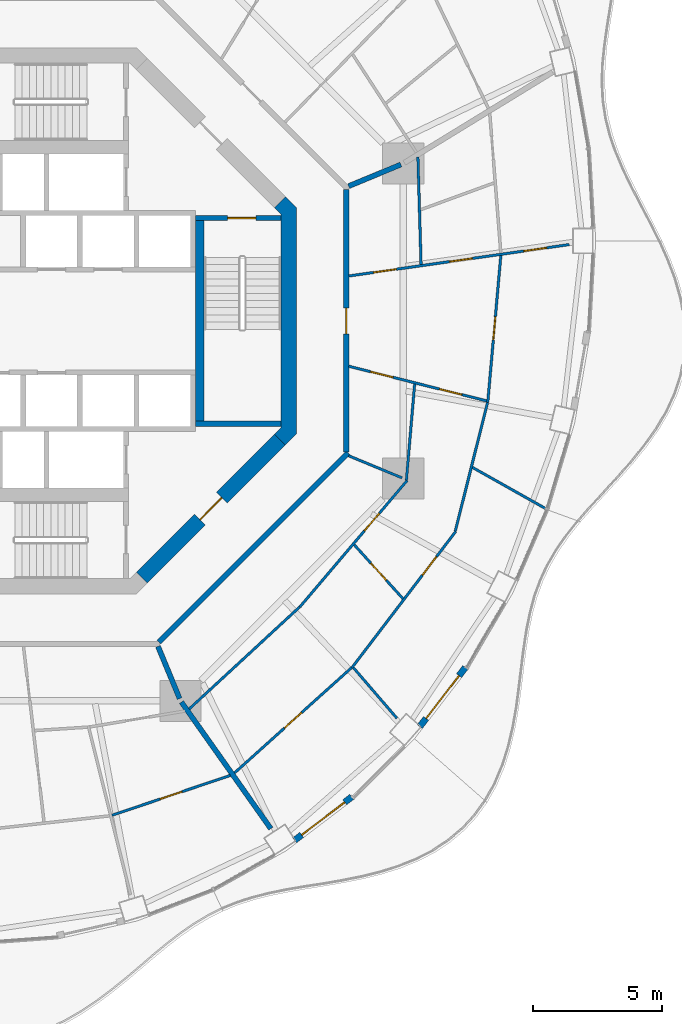
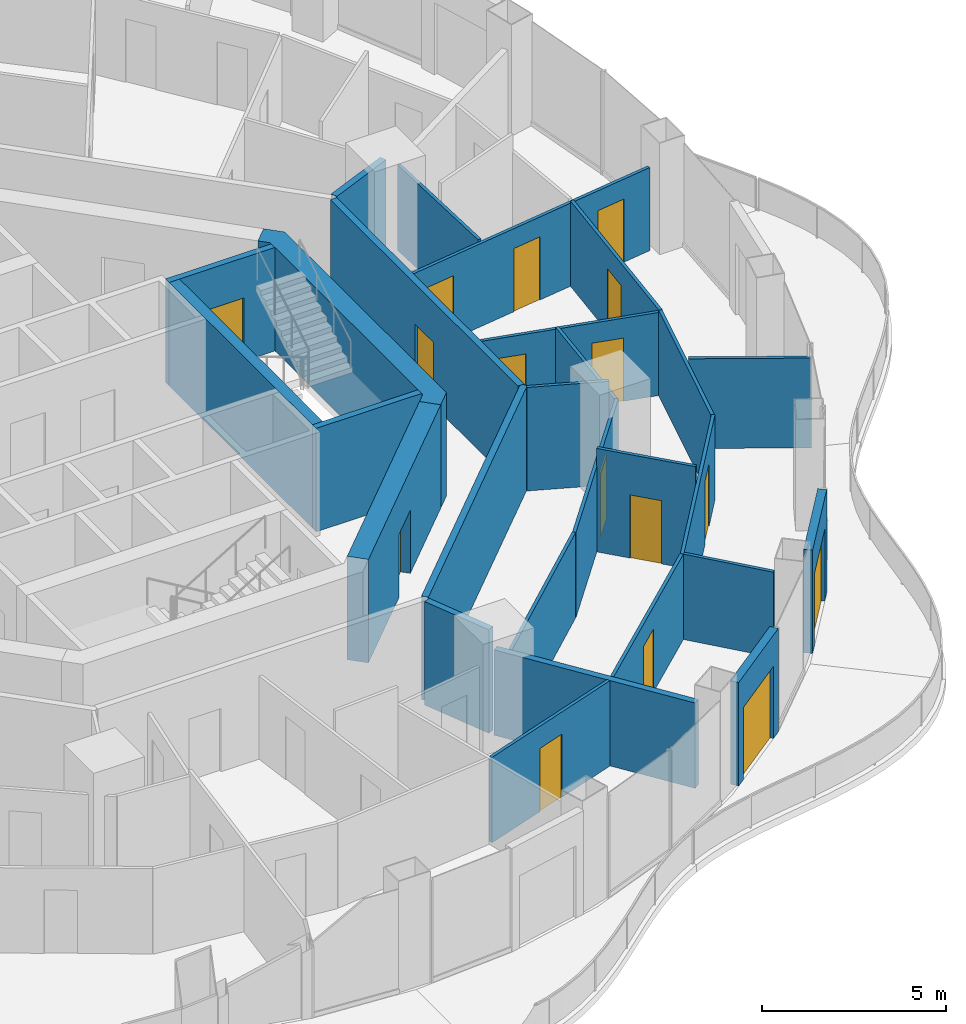
# One storey, part 12 of 18: 27 walls, 16 doors, 16 openings.
"""IFC4 building model written with IfcOpenShell, lengths in metres."""

from ifc_helpers import new_model, si_unit, direction, frame, frame_2d, origin, place, context, subcontext, project, spatial, polyline, rectangle, outline, extrude, material, layer, layer_set, type_object, element, fill, save


model = new_model("IFC4")

# Units and contexts
model_context = context("Model", 3, precision=1e-05, world=origin(), true_north=direction((0.0, 1.0)))
body_context = subcontext(model_context, "Body", "Model", "MODEL_VIEW")
ifc_project = project(units=[si_unit("LENGTHUNIT", "METRE"), si_unit("AREAUNIT", "SQUARE_METRE"), si_unit("VOLUMEUNIT", "CUBIC_METRE"), si_unit("PLANEANGLEUNIT", "RADIAN"), si_unit("MASSUNIT", "GRAM", prefix="KILO")], contexts=[model_context])

# Site, building, storey
site_placement = place(None, origin())
site = spatial("IfcSite", under=ifc_project, at=site_placement, CompositionType="ELEMENT")
building_placement = place(site_placement, origin())
building = spatial("IfcBuilding", under=site, at=building_placement, Name="Nagisa Residences", CompositionType="ELEMENT")
storey_placement = place(building_placement, frame((0.0, 0.0, 245.5)))
storey = spatial("IfcBuildingStorey", under=building, at=storey_placement, Name="L62", CompositionType="ELEMENT", Elevation=245.5)

# Walls
ifc_material_1 = material(Name="Gypsum board on steel studs", Category="steel")
ifc_layer_1 = layer(ifc_material_1, 0.199951171875)
ifc_layer_set_1 = layer_set([ifc_layer_1], Name="Apartment compartment wall EI60 200")
wall_type_1 = type_object("IfcWallType", Name="Apartment compartment wall EI60 200", PredefinedType="PARTITIONING", material=ifc_layer_set_1)
wall_1_placement = place(storey_placement, frame((12.6572265625, 5.24267578125, 0.0), z_axis=(0.0, 0.0, 1.0), x_axis=(0.92383017907, 0.382802560388, 0.0)))
element("IfcWall", 1, at=wall_1_placement, inside=storey, type_object=wall_type_1, Name="wall:L62:u00", PredefinedType="PARTITIONING", context=body_context, shape_type="SweptSolid", body=[
    extrude(rectangle(XDim=2.2001953125, YDim=0.199951171875, at=frame_2d((1.10009765625, 0.0))), origin(), (0.0, 0.0, 1.0), 3.43994140625),
])
wall_2_placement = place(storey_placement, frame((5.24267578125, -12.6572265625, 0.0), z_axis=(0.0, 0.0, 1.0), x_axis=(0.382691608661, -0.923876145736, 0.0)))
element("IfcWall", 2, at=wall_2_placement, inside=storey, type_object=wall_type_1, Name="wall:L62:u04", PredefinedType="PARTITIONING", context=body_context, shape_type="SweptSolid", body=[
    extrude(rectangle(XDim=2.19970703125, YDim=0.199951171875, at=frame_2d((1.099853515625, 0.0))), origin(), (0.0, 0.0, 1.0), 3.43994140625),
])
wall_3_placement = place(storey_placement, frame((6.15185546875, -14.822998046875, 0.0), z_axis=(0.0, 0.0, 1.0), x_axis=(0.576994695158, -0.816747893637, 0.0)))
element("IfcWall", 3, at=wall_3_placement, inside=storey, type_object=wall_type_1, Name="wall:L62:u05", PredefinedType="PARTITIONING", context=body_context, shape_type="SweptSolid", body=[
    extrude(rectangle(XDim=6.0302734375, YDim=0.199951171875, at=frame_2d((3.01513671875, 0.0))), origin(), (0.0, 0.0, 1.0), 2.8369140625),
])

# Wall, opening, door
ifc_material_2 = material(Name="Gypsum board on steel studs", Category="steel")
ifc_layer_2 = layer(ifc_material_2, 0.199951171875)
ifc_layer_set_2 = layer_set([ifc_layer_2], Name="Apartment entry wall EI60 200")
wall_type_2 = type_object("IfcWallType", Name="Apartment entry wall EI60 200", PredefinedType="PARTITIONING", material=ifc_layer_set_2)
wall_4_placement = place(storey_placement, frame((12.564697265625, -5.1044921875, 0.0), z_axis=(0.0, 0.0, 1.0), x_axis=(0.0, 1.0, 0.0)))
wall_4 = element("IfcWall", 4, at=wall_4_placement, inside=storey, type_object=wall_type_2, Name="wall:L62:u06", PredefinedType="PARTITIONING", context=body_context, shape_type="SweptSolid", body=[
    extrude(rectangle(XDim=10.208984375, YDim=0.199951171875, at=frame_2d((5.1044921875, 0.0))), origin(), (0.0, 0.0, 1.0), 3.43994140625),
])
opening_1_placement = place(wall_4_placement, frame((4.6044921875, 0.0, 0.0)))
opening_1 = element("IfcOpeningElement", 5, at=opening_1_placement, cuts=wall_4, Name="Opening L62-U01", PredefinedType="OPENING", context=body_context, shape_type="SweptSolid", body=[
    extrude(rectangle(XDim=1.0, YDim=2.10009765625, at=frame_2d((0.5, 1.050048828125))), frame((0.0, 0.10986328125, 0.0), z_axis=(0.0, -1.0, 0.0), x_axis=(1.0, 0.0, 0.0)), (0.0, 0.0, 1.0), 0.219970703125),
])
ifc_material_3 = material(Name="Timber fire door set", Category="wood")
door_type_1 = type_object("IfcDoorType", Name="Apartment entry door FD30S 1000x2100", OperationType="NOTDEFINED", PredefinedType="DOOR", material=ifc_material_3)
door_1_placement = place(opening_1_placement, frame((1.0, 0.0, 0.0), x_axis=(-1.0, 0.0, 0.0)))
door_1 = element("IfcDoor", 6, at=door_1_placement, inside=storey, type_object=door_type_1, Name="Entry door, Apartment 62A", OperationType="SINGLE_SWING_RIGHT", OverallHeight=2.10009765625, OverallWidth=1.0, PredefinedType="DOOR", context=body_context, shape_type="SweptSolid", body=[
    extrude(rectangle(XDim=1.0, YDim=2.10009765625, at=frame_2d((0.5, 1.050048828125))), frame((0.0, 0.02490234375, 0.0), z_axis=(0.0, -1.0, 0.0), x_axis=(1.0, 0.0, 0.0)), (0.0, 0.0, 1.0), 0.050048828125),
])
fill(opening_1, door_1)

# Wall
wall_5_placement = place(storey_placement, frame((5.275146484375, -12.494140625, 0.0), z_axis=(0.0, 0.0, 1.0), x_axis=(0.707106781187, 0.707106781187, 0.0)))
element("IfcWall", 7, at=wall_5_placement, inside=storey, type_object=wall_type_2, Name="wall:L62:u13", PredefinedType="PARTITIONING", context=body_context, shape_type="SweptSolid", body=[
    extrude(rectangle(XDim=10.4091796875, YDim=0.199951171875, at=frame_2d((5.20458984375, 0.0))), origin(), (0.0, 0.0, 1.0), 3.43994140625),
])

# Wall, openings, doors
ifc_material_4 = material(Name="Gypsum board on steel studs", Category="steel")
ifc_layer_3 = layer(ifc_material_4, 0.10009765625)
ifc_layer_set_3 = layer_set([ifc_layer_3], Name="Apartment partition 100")
wall_type_3 = type_object("IfcWallType", Name="Apartment partition 100", PredefinedType="PARTITIONING", material=ifc_layer_set_3)
wall_6_placement = place(storey_placement, frame((12.663818359375, 1.7490234375, 0.0), z_axis=(0.0, 0.0, 1.0), x_axis=(0.990001845476, 0.141054407783, 0.0)))
wall_6 = element("IfcWall", 8, at=wall_6_placement, inside=storey, type_object=wall_type_3, Name="wall:L62:u14", PredefinedType="PARTITIONING", context=body_context, shape_type="SweptSolid", body=[
    extrude(rectangle(XDim=8.662841796875, YDim=0.10009765625, at=frame_2d((4.33154296875, 0.0))), origin(), (0.0, 0.0, 1.0), 2.761962890625),
])
opening_2_placement = place(wall_6_placement, frame((0.970458984375, 0.0, 0.0)))
opening_2 = element("IfcOpeningElement", 9, at=opening_2_placement, cuts=wall_6, Name="Opening L62-U03", PredefinedType="OPENING", context=body_context, shape_type="SweptSolid", body=[
    extrude(rectangle(XDim=0.89990234375, YDim=2.10009765625, at=frame_2d((0.449951171875, 1.050048828125))), frame((0.0, 0.06005859375, 0.0), z_axis=(0.0, -1.0, 0.0), x_axis=(1.0, 0.0, 0.0)), (0.0, 0.0, 1.0), 0.1201171875),
])
opening_3_placement = place(wall_6_placement, frame((3.95947265625, 0.0, 0.0)))
opening_3 = element("IfcOpeningElement", 10, at=opening_3_placement, cuts=wall_6, Name="Opening L62-U05", PredefinedType="OPENING", context=body_context, shape_type="SweptSolid", body=[
    extrude(rectangle(XDim=0.89990234375, YDim=2.10009765625, at=frame_2d((0.449951171875, 1.050048828125))), frame((0.0, 0.06005859375, 0.0), z_axis=(0.0, -1.0, 0.0), x_axis=(1.0, 0.0, 0.0)), (0.0, 0.0, 1.0), 0.1201171875),
])
opening_4_placement = place(wall_6_placement, frame((6.870361328125, 0.0, 0.0)))
opening_4 = element("IfcOpeningElement", 11, at=opening_4_placement, cuts=wall_6, Name="Opening L62-U08", PredefinedType="OPENING", context=body_context, shape_type="SweptSolid", body=[
    extrude(rectangle(XDim=0.89990234375, YDim=2.10009765625, at=frame_2d((0.449951171875, 1.050048828125))), frame((0.0, 0.06005859375, 0.0), z_axis=(0.0, -1.0, 0.0), x_axis=(1.0, 0.0, 0.0)), (0.0, 0.0, 1.0), 0.1201171875),
])
ifc_material_5 = material(Name="Timber door set", Category="wood")
door_type_2 = type_object("IfcDoorType", Name="Apartment door 900x2100", OperationType="NOTDEFINED", PredefinedType="DOOR", material=ifc_material_5)
door_2_placement = place(opening_2_placement, origin())
door_2 = element("IfcDoor", 12, at=door_2_placement, inside=storey, type_object=door_type_2, Name="Door to store, Apartment 62A", OperationType="SINGLE_SWING_LEFT", OverallHeight=2.10009765625, OverallWidth=0.89990234375, PredefinedType="DOOR", context=body_context, shape_type="SweptSolid", body=[
    extrude(rectangle(XDim=0.89990234375, YDim=2.10009765625, at=frame_2d((0.449951171875, 1.050048828125))), frame((0.0, 0.02490234375, 0.0), z_axis=(0.0, -1.0, 0.0), x_axis=(1.0, 0.0, 0.0)), (0.0, 0.0, 1.0), 0.050048828125),
])
fill(opening_2, door_2)
door_3_placement = place(opening_3_placement, origin())
door_3 = element("IfcDoor", 13, at=door_3_placement, inside=storey, type_object=door_type_2, Name="Door to family bathroom, Apartment 62A", OperationType="SINGLE_SWING_LEFT", OverallHeight=2.10009765625, OverallWidth=0.89990234375, PredefinedType="DOOR", context=body_context, shape_type="SweptSolid", body=[
    extrude(rectangle(XDim=0.89990234375, YDim=2.10009765625, at=frame_2d((0.449951171875, 1.050048828125))), frame((0.0, 0.02490234375, 0.0), z_axis=(0.0, -1.0, 0.0), x_axis=(1.0, 0.0, 0.0)), (0.0, 0.0, 1.0), 0.050048828125),
])
fill(opening_3, door_3)
door_4_placement = place(opening_4_placement, origin())
door_4 = element("IfcDoor", 14, at=door_4_placement, inside=storey, type_object=door_type_2, Name="Door to bedroom, Apartment 62A", OperationType="SINGLE_SWING_RIGHT", OverallHeight=2.10009765625, OverallWidth=0.89990234375, PredefinedType="DOOR", context=body_context, shape_type="SweptSolid", body=[
    extrude(rectangle(XDim=0.89990234375, YDim=2.10009765625, at=frame_2d((0.449951171875, 1.050048828125))), frame((0.0, 0.02490234375, 0.0), z_axis=(0.0, -1.0, 0.0), x_axis=(1.0, 0.0, 0.0)), (0.0, 0.0, 1.0), 0.050048828125),
])
fill(opening_4, door_4)

# Wall
wall_7_placement = place(storey_placement, frame((15.474853515625, 2.19970703125, 0.0), z_axis=(0.0, 0.0, 1.0), x_axis=(-0.029254623973, 0.999571991893, 0.0)))
element("IfcWall", 15, at=wall_7_placement, inside=storey, type_object=wall_type_3, Name="wall:L62:u15", PredefinedType="PARTITIONING", context=body_context, shape_type="SweptSolid", body=[
    extrude(rectangle(XDim=4.172607421875, YDim=0.10009765625, at=frame_2d((2.08642578125, 0.0))), origin(), (0.0, 0.0, 1.0), 2.8369140625),
])

# Wall, opening, door
wall_8_placement = place(storey_placement, frame((18.57763671875, 2.54248046875, 0.0), z_axis=(0.0, 0.0, 1.0), x_axis=(-0.088651453697, -0.996062708748, 0.0)))
wall_8 = element("IfcWall", 16, at=wall_8_placement, inside=storey, type_object=wall_type_3, Name="wall:L62:u17", PredefinedType="PARTITIONING", context=body_context, shape_type="SweptSolid", body=[
    extrude(rectangle(XDim=5.736572265625, YDim=0.10009765625, at=frame_2d((2.8681640625, 0.0))), origin(), (0.0, 0.0, 1.0), 2.8369140625),
])
opening_5_placement = place(wall_8_placement, frame((2.39306640625, 0.0, 0.0)))
opening_5 = element("IfcOpeningElement", 17, at=opening_5_placement, cuts=wall_8, Name="Opening L62-U07", PredefinedType="OPENING", context=body_context, shape_type="SweptSolid", body=[
    extrude(rectangle(XDim=0.89990234375, YDim=2.10009765625, at=frame_2d((0.449951171875, 1.050048828125))), frame((0.0, 0.06005859375, 0.0), z_axis=(0.0, -1.0, 0.0), x_axis=(1.0, 0.0, 0.0)), (0.0, 0.0, 1.0), 0.1201171875),
])
door_5_placement = place(opening_5_placement, origin())
door_5 = element("IfcDoor", 18, at=door_5_placement, inside=storey, type_object=door_type_2, Name="Door to family room, Apartment 62A", OperationType="SINGLE_SWING_LEFT", OverallHeight=2.10009765625, OverallWidth=0.89990234375, PredefinedType="DOOR", context=body_context, shape_type="SweptSolid", body=[
    extrude(rectangle(XDim=0.89990234375, YDim=2.10009765625, at=frame_2d((0.449951171875, 1.050048828125))), frame((0.0, 0.02490234375, 0.0), z_axis=(0.0, -1.0, 0.0), x_axis=(1.0, 0.0, 0.0)), (0.0, 0.0, 1.0), 0.050048828125),
])
fill(opening_5, door_5)

wall_9_placement = place(storey_placement, frame((3.453125, -19.228759765625, 0.0), z_axis=(0.0, 0.0, 1.0), x_axis=(0.947565610716, 0.31956128268, 0.0)))
wall_9 = element("IfcWall", 19, at=wall_9_placement, inside=storey, type_object=wall_type_3, Name="wall:L62:u78", PredefinedType="PARTITIONING", context=body_context, shape_type="SweptSolid", body=[
    extrude(rectangle(XDim=4.852783203125, YDim=0.10009765625, at=frame_2d((2.42626953125, 0.0))), origin(), (0.0, 0.0, 1.0), 2.8369140625),
])
opening_6_placement = place(wall_9_placement, frame((1.976318359375, 0.0, 0.0)))
opening_6 = element("IfcOpeningElement", 20, at=opening_6_placement, cuts=wall_9, Name="Opening L62-U47", PredefinedType="OPENING", context=body_context, shape_type="SweptSolid", body=[
    extrude(rectangle(XDim=0.89990234375, YDim=2.10009765625, at=frame_2d((0.449951171875, 1.050048828125))), frame((0.0, 0.06005859375, 0.0), z_axis=(0.0, -1.0, 0.0), x_axis=(1.0, 0.0, 0.0)), (0.0, 0.0, 1.0), 0.1201171875),
])
door_6_placement = place(opening_6_placement, frame((0.89990234375, 0.0, 0.0), x_axis=(-1.0, 0.0, 0.0)))
door_6 = element("IfcDoor", 21, at=door_6_placement, inside=storey, type_object=door_type_2, Name="Door to bedroom, Apartment 62C", OperationType="SINGLE_SWING_RIGHT", OverallHeight=2.10009765625, OverallWidth=0.89990234375, PredefinedType="DOOR", context=body_context, shape_type="SweptSolid", body=[
    extrude(rectangle(XDim=0.89990234375, YDim=2.10009765625, at=frame_2d((0.449951171875, 1.050048828125))), frame((0.0, 0.02490234375, 0.0), z_axis=(0.0, -1.0, 0.0), x_axis=(1.0, 0.0, 0.0)), (0.0, 0.0, 1.0), 0.050048828125),
])
fill(opening_6, door_6)

# Wall
wall_10_placement = place(storey_placement, frame((6.460693359375, -15.08837890625, 0.0), z_axis=(0.0, 0.0, 1.0), x_axis=(0.73461579427, 0.678483334217, 0.0)))
element("IfcWall", 22, at=wall_10_placement, inside=storey, type_object=wall_type_3, Name="wall:L62:u79", PredefinedType="PARTITIONING", context=body_context, shape_type="SweptSolid", body=[
    extrude(rectangle(XDim=5.8369140625, YDim=0.10009765625, at=frame_2d((2.91845703125, 0.0))), origin(), (0.0, 0.0, 1.0), 2.8369140625),
])

# Wall, opening, door
wall_11_placement = place(storey_placement, frame((8.220458984375, -17.5791015625, 0.0), z_axis=(0.0, 0.0, 1.0), x_axis=(0.743696370895, 0.668517544958, 0.0)))
wall_11 = element("IfcWall", 23, at=wall_11_placement, inside=storey, type_object=wall_type_3, Name="wall:L62:u80", PredefinedType="PARTITIONING", context=body_context, shape_type="SweptSolid", body=[
    extrude(rectangle(XDim=6.124755859375, YDim=0.10009765625, at=frame_2d((3.0625, 0.0))), origin(), (0.0, 0.0, 1.0), 2.8369140625),
])
opening_7_placement = place(wall_11_placement, frame((2.6123046875, 0.0, 0.0)))
opening_7 = element("IfcOpeningElement", 24, at=opening_7_placement, cuts=wall_11, Name="Opening L62-U12", PredefinedType="OPENING", context=body_context, shape_type="SweptSolid", body=[
    extrude(rectangle(XDim=0.89990234375, YDim=2.10009765625, at=frame_2d((0.449951171875, 1.050048828125))), frame((0.0, 0.06005859375, 0.0), z_axis=(0.0, -1.0, 0.0), x_axis=(1.0, 0.0, 0.0)), (0.0, 0.0, 1.0), 0.1201171875),
])
door_7_placement = place(opening_7_placement, frame((0.89990234375, 0.0, 0.0), x_axis=(-1.0, 0.0, 0.0)))
door_7 = element("IfcDoor", 25, at=door_7_placement, inside=storey, type_object=door_type_2, Name="Door to study, Apartment 62A", OperationType="SINGLE_SWING_LEFT", OverallHeight=2.10009765625, OverallWidth=0.89990234375, PredefinedType="DOOR", context=body_context, shape_type="SweptSolid", body=[
    extrude(rectangle(XDim=0.89990234375, YDim=2.10009765625, at=frame_2d((0.449951171875, 1.050048828125))), frame((0.0, 0.02490234375, 0.0), z_axis=(0.0, -1.0, 0.0), x_axis=(1.0, 0.0, 0.0)), (0.0, 0.0, 1.0), 0.050048828125),
])
fill(opening_7, door_7)

wall_12_placement = place(storey_placement, frame((10.7529296875, -11.13232421875, 0.0), z_axis=(0.0, 0.0, 1.0), x_axis=(0.64700741656, 0.762483706657, 0.0)))
wall_12 = element("IfcWall", 26, at=wall_12_placement, inside=storey, type_object=wall_type_3, Name="wall:L62:u81", PredefinedType="PARTITIONING", context=body_context, shape_type="SweptSolid", body=[
    extrude(rectangle(XDim=6.458984375, YDim=0.10009765625, at=frame_2d((3.2294921875, 0.0))), origin(), (0.0, 0.0, 1.0), 2.8369140625),
])
opening_8_placement = place(wall_12_placement, frame((3.8955078125, 0.0, 0.0)))
opening_8 = element("IfcOpeningElement", 27, at=opening_8_placement, cuts=wall_12, Name="Opening L62-U09", PredefinedType="OPENING", context=body_context, shape_type="SweptSolid", body=[
    extrude(rectangle(XDim=0.89990234375, YDim=2.10009765625, at=frame_2d((0.449951171875, 1.050048828125))), frame((0.0, 0.06005859375, 0.0), z_axis=(0.0, -1.0, 0.0), x_axis=(1.0, 0.0, 0.0)), (0.0, 0.0, 1.0), 0.1201171875),
])
door_8_placement = place(opening_8_placement, origin())
door_8 = element("IfcDoor", 28, at=door_8_placement, inside=storey, type_object=door_type_2, Name="Door to laundry, Apartment 62A", OperationType="SINGLE_SWING_LEFT", OverallHeight=2.10009765625, OverallWidth=0.89990234375, PredefinedType="DOOR", context=body_context, shape_type="SweptSolid", body=[
    extrude(rectangle(XDim=0.89990234375, YDim=2.10009765625, at=frame_2d((0.449951171875, 1.050048828125))), frame((0.0, 0.02490234375, 0.0), z_axis=(0.0, -1.0, 0.0), x_axis=(1.0, 0.0, 0.0)), (0.0, 0.0, 1.0), 0.050048828125),
])
fill(opening_8, door_8)

# Wall
wall_13_placement = place(storey_placement, frame((12.84521484375, -13.489013671875, 0.0), z_axis=(0.0, 0.0, 1.0), x_axis=(0.652092276587, -0.758139606416, 0.0)))
element("IfcWall", 29, at=wall_13_placement, inside=storey, type_object=wall_type_3, Name="wall:L62:u82", PredefinedType="PARTITIONING", context=body_context, shape_type="SweptSolid", body=[
    extrude(rectangle(XDim=2.594482421875, YDim=0.10009765625, at=frame_2d((1.29736328125, 0.0))), origin(), (0.0, 0.0, 1.0), 2.8369140625),
])

# Wall, opening, door
wall_14_placement = place(storey_placement, frame((12.7822265625, -13.490966796875, 0.0), z_axis=(0.0, 0.0, 1.0), x_axis=(0.606125925512, 0.795368695903, 0.0)))
wall_14 = element("IfcWall", 30, at=wall_14_placement, inside=storey, type_object=wall_type_3, Name="wall:L62:u83", PredefinedType="PARTITIONING", context=body_context, shape_type="SweptSolid", body=[
    extrude(rectangle(XDim=6.669677734375, YDim=0.10009765625, at=frame_2d((3.3349609375, 0.0))), origin(), (0.0, 0.0, 1.0), 2.8369140625),
])
opening_9_placement = place(wall_14_placement, frame((4.52734375, 0.0, 0.0)))
opening_9 = element("IfcOpeningElement", 31, at=opening_9_placement, cuts=wall_14, Name="Opening L62-U06", PredefinedType="OPENING", context=body_context, shape_type="SweptSolid", body=[
    extrude(rectangle(XDim=0.89990234375, YDim=2.10009765625, at=frame_2d((0.449951171875, 1.050048828125))), frame((0.0, 0.06005859375, 0.0), z_axis=(0.0, -1.0, 0.0), x_axis=(1.0, 0.0, 0.0)), (0.0, 0.0, 1.0), 0.1201171875),
])
door_9_placement = place(opening_9_placement, frame((0.89990234375, 0.0, 0.0), x_axis=(-1.0, 0.0, 0.0)))
door_9 = element("IfcDoor", 32, at=door_9_placement, inside=storey, type_object=door_type_2, Name="Door to bedroom, Apartment 62A", OperationType="SINGLE_SWING_LEFT", OverallHeight=2.10009765625, OverallWidth=0.89990234375, PredefinedType="DOOR", context=body_context, shape_type="SweptSolid", body=[
    extrude(rectangle(XDim=0.89990234375, YDim=2.10009765625, at=frame_2d((0.449951171875, 1.050048828125))), frame((0.0, 0.02490234375, 0.0), z_axis=(0.0, -1.0, 0.0), x_axis=(1.0, 0.0, 0.0)), (0.0, 0.0, 1.0), 0.050048828125),
])
fill(opening_9, door_9)

wall_15_placement = place(storey_placement, frame((12.8759765625, -8.70703125, 0.0), z_axis=(0.0, 0.0, 1.0), x_axis=(0.670768418052, -0.741666858733, 0.0)))
wall_15 = element("IfcWall", 33, at=wall_15_placement, inside=storey, type_object=wall_type_3, Name="wall:L62:u84", PredefinedType="PARTITIONING", context=body_context, shape_type="SweptSolid", body=[
    extrude(rectangle(XDim=2.82373046875, YDim=0.10009765625, at=frame_2d((1.411865234375, 0.0))), origin(), (0.0, 0.0, 1.0), 3.43994140625),
])
opening_10_placement = place(wall_15_placement, frame((0.9619140625, 0.0, 0.0)))
opening_10 = element("IfcOpeningElement", 34, at=opening_10_placement, cuts=wall_15, Name="Opening L62-U10", PredefinedType="OPENING", context=body_context, shape_type="SweptSolid", body=[
    extrude(rectangle(XDim=0.89990234375, YDim=2.10009765625, at=frame_2d((0.449951171875, 1.050048828125))), frame((0.0, 0.06005859375, 0.0), z_axis=(0.0, -1.0, 0.0), x_axis=(1.0, 0.0, 0.0)), (0.0, 0.0, 1.0), 0.1201171875),
])
door_10_placement = place(opening_10_placement, frame((0.89990234375, 0.0, 0.0), x_axis=(-1.0, 0.0, 0.0)))
door_10 = element("IfcDoor", 35, at=door_10_placement, inside=storey, type_object=door_type_2, Name="Door to kitchen, Apartment 62A", OperationType="SINGLE_SWING_LEFT", OverallHeight=2.10009765625, OverallWidth=0.89990234375, PredefinedType="DOOR", context=body_context, shape_type="SweptSolid", body=[
    extrude(rectangle(XDim=0.89990234375, YDim=2.10009765625, at=frame_2d((0.449951171875, 1.050048828125))), frame((0.0, 0.02490234375, 0.0), z_axis=(0.0, -1.0, 0.0), x_axis=(1.0, 0.0, 0.0)), (0.0, 0.0, 1.0), 0.050048828125),
])
fill(opening_10, door_10)

# Walls
wall_16_placement = place(storey_placement, frame((12.6572265625, -5.24267578125, 0.0), z_axis=(0.0, 0.0, 1.0), x_axis=(0.923864733477, -0.382719158442, 0.0)))
element("IfcWall", 36, at=wall_16_placement, inside=storey, type_object=wall_type_3, Name="wall:L62:u85", PredefinedType="PARTITIONING", context=body_context, shape_type="SweptSolid", body=[
    extrude(rectangle(XDim=2.25, YDim=0.10009765625, at=frame_2d((1.125, 0.0))), origin(), (0.0, 0.0, 1.0), 3.43994140625),
])
wall_17_placement = place(storey_placement, frame((14.90380859375, -6.19580078125, 0.0), z_axis=(0.0, 0.0, 1.0), x_axis=(0.085843822439, 0.996308605879, 0.0)))
element("IfcWall", 37, at=wall_17_placement, inside=storey, type_object=wall_type_3, Name="wall:L62:u86", PredefinedType="PARTITIONING", context=body_context, shape_type="SweptSolid", body=[
    extrude(rectangle(XDim=3.754150390625, YDim=0.10009765625, at=frame_2d((1.876953125, 0.0))), origin(), (0.0, 0.0, 1.0), 2.8369140625),
])
wall_18_placement = place(storey_placement, frame((16.806884765625, -8.17724609375, 0.0), z_axis=(0.0, 0.0, 1.0), x_axis=(0.243002985225, 0.970025540474, 0.0)))
element("IfcWall", 38, at=wall_18_placement, inside=storey, type_object=wall_type_3, Name="wall:L62:u87", PredefinedType="PARTITIONING", context=body_context, shape_type="SweptSolid", body=[
    extrude(rectangle(XDim=5.162109375, YDim=0.10009765625, at=frame_2d((2.5810546875, 0.0))), origin(), (0.0, 0.0, 1.0), 2.8369140625),
])
wall_19_placement = place(storey_placement, frame((17.4775390625, -5.6982421875, 0.0), z_axis=(0.0, 0.0, 1.0), x_axis=(0.871478399743, -0.490433888288, 0.0)))
element("IfcWall", 39, at=wall_19_placement, inside=storey, type_object=wall_type_3, Name="wall:L62:u88", PredefinedType="PARTITIONING", context=body_context, shape_type="SweptSolid", body=[
    extrude(rectangle(XDim=3.356689453125, YDim=0.10009765625, at=frame_2d((1.67822265625, 0.0))), origin(), (0.0, 0.0, 1.0), 2.98291015625),
])

# Wall, openings, doors
wall_20_placement = place(storey_placement, frame((12.66162109375, -1.75927734375, 0.0), z_axis=(0.0, 0.0, 1.0), x_axis=(0.969746519828, -0.24411408661, 0.0)))
wall_20 = element("IfcWall", 40, at=wall_20_placement, inside=storey, type_object=wall_type_3, Name="wall:L62:u89", PredefinedType="PARTITIONING", context=body_context, shape_type="SweptSolid", body=[
    extrude(rectangle(XDim=5.530517578125, YDim=0.10009765625, at=frame_2d((2.76513671875, 0.0))), origin(), (0.0, 0.0, 1.0), 2.761962890625),
])
opening_11_placement = place(wall_20_placement, frame((0.874267578125, 0.0, 0.0)))
opening_11 = element("IfcOpeningElement", 41, at=opening_11_placement, cuts=wall_20, Name="Opening L62-U02", PredefinedType="OPENING", context=body_context, shape_type="SweptSolid", body=[
    extrude(rectangle(XDim=0.89990234375, YDim=2.10009765625, at=frame_2d((0.449951171875, 1.050048828125))), frame((0.0, 0.06005859375, 0.0), z_axis=(0.0, -1.0, 0.0), x_axis=(1.0, 0.0, 0.0)), (0.0, 0.0, 1.0), 0.1201171875),
])
opening_12_placement = place(wall_20_placement, frame((3.6396484375, 0.0, 0.0)))
opening_12 = element("IfcOpeningElement", 42, at=opening_12_placement, cuts=wall_20, Name="Opening L62-U04", PredefinedType="OPENING", context=body_context, shape_type="SweptSolid", body=[
    extrude(rectangle(XDim=0.89990234375, YDim=2.10009765625, at=frame_2d((0.449951171875, 1.050048828125))), frame((0.0, 0.06005859375, 0.0), z_axis=(0.0, -1.0, 0.0), x_axis=(1.0, 0.0, 0.0)), (0.0, 0.0, 1.0), 0.1201171875),
])
door_11_placement = place(opening_11_placement, frame((0.89990234375, 0.0, 0.0), x_axis=(-1.0, 0.0, 0.0)))
door_11 = element("IfcDoor", 43, at=door_11_placement, inside=storey, type_object=door_type_2, Name="Door to store, Apartment 62A", OperationType="SINGLE_SWING_LEFT", OverallHeight=2.10009765625, OverallWidth=0.89990234375, PredefinedType="DOOR", context=body_context, shape_type="SweptSolid", body=[
    extrude(rectangle(XDim=0.89990234375, YDim=2.10009765625, at=frame_2d((0.449951171875, 1.050048828125))), frame((0.0, 0.02490234375, 0.0), z_axis=(0.0, -1.0, 0.0), x_axis=(1.0, 0.0, 0.0)), (0.0, 0.0, 1.0), 0.050048828125),
])
fill(opening_11, door_11)
door_12_placement = place(opening_12_placement, frame((0.89990234375, 0.0, 0.0), x_axis=(-1.0, 0.0, 0.0)))
door_12 = element("IfcDoor", 44, at=door_12_placement, inside=storey, type_object=door_type_2, Name="Door to study, Apartment 62A", OperationType="SINGLE_SWING_LEFT", OverallHeight=2.10009765625, OverallWidth=0.89990234375, PredefinedType="DOOR", context=body_context, shape_type="SweptSolid", body=[
    extrude(rectangle(XDim=0.89990234375, YDim=2.10009765625, at=frame_2d((0.449951171875, 1.050048828125))), frame((0.0, 0.02490234375, 0.0), z_axis=(0.0, -1.0, 0.0), x_axis=(1.0, 0.0, 0.0)), (0.0, 0.0, 1.0), 0.050048828125),
])
fill(opening_12, door_12)

# Wall, opening, door
ifc_material_6 = material(Name="Precast concrete C40/50", Category="concrete")
ifc_layer_4 = layer(ifc_material_6, 0.25)
ifc_layer_set_4 = layer_set([ifc_layer_4], Name="BALCONY DOOR WALL 250")
wall_type_4 = type_object("IfcWallType", Name="BALCONY DOOR WALL 250", PredefinedType="SOLIDWALL", material=ifc_layer_set_4)
wall_21_placement = place(storey_placement, frame((12.77734375, -18.5126953125, 0.0), z_axis=(0.0, 0.0, 1.0), x_axis=(-0.796022158395, -0.605267480825, 0.0)))
wall_21 = element("IfcWall", 45, at=wall_21_placement, inside=storey, type_object=wall_type_4, Name="wall:L62:bay40", PredefinedType="SOLIDWALL", context=body_context, shape_type="SweptSolid", body=[
    extrude(rectangle(XDim=2.788818359375, YDim=0.25, at=frame_2d((1.39453125, 0.0))), origin(), (0.0, 0.0, 1.0), 3.43994140625),
])
opening_13_placement = place(wall_21_placement, frame((0.34423828125, 0.0, 0.0)))
opening_13 = element("IfcOpeningElement", 46, at=opening_13_placement, cuts=wall_21, Name="Opening BD-L62-14", PredefinedType="OPENING", context=body_context, shape_type="SweptSolid", body=[
    extrude(rectangle(XDim=2.10009765625, YDim=2.39990234375, at=frame_2d((1.050048828125, 1.199951171875))), frame((0.0, 0.135009765625, 0.0), z_axis=(0.0, -1.0, 0.0), x_axis=(1.0, 0.0, 0.0)), (0.0, 0.0, 1.0), 0.27001953125),
])
ifc_material_7 = material(Name="Aluminium and clear glass", Category="aluminium")
door_type_3 = type_object("IfcDoorType", Name="BALCONY SLIDING DOOR 2100x2400", OperationType="SLIDING_TO_LEFT", PredefinedType="DOOR", material=ifc_material_7)
door_13_placement = place(opening_13_placement, origin())
door_13 = element("IfcDoor", 47, at=door_13_placement, inside=storey, type_object=door_type_3, Name="door:L62:bay40", OperationType="SLIDING_TO_LEFT", OverallHeight=2.39990234375, OverallWidth=2.10009765625, PredefinedType="DOOR", context=body_context, shape_type="SweptSolid", body=[
    extrude(rectangle(XDim=2.10009765625, YDim=2.39990234375, at=frame_2d((1.050048828125, 1.199951171875))), frame((0.0, 0.02490234375, 0.0), z_axis=(0.0, -1.0, 0.0), x_axis=(1.0, 0.0, 0.0)), (0.0, 0.0, 1.0), 0.050048828125),
])
fill(opening_13, door_13)

wall_22_placement = place(storey_placement, frame((17.197021484375, -13.47998046875, 0.0), z_axis=(0.0, 0.0, 1.0), x_axis=(-0.610438565676, -0.792063607001, 0.0)))
wall_22 = element("IfcWall", 48, at=wall_22_placement, inside=storey, type_object=wall_type_4, Name="wall:L62:bay42", PredefinedType="SOLIDWALL", context=body_context, shape_type="SweptSolid", body=[
    extrude(rectangle(XDim=2.90087890625, YDim=0.25, at=frame_2d((1.450439453125, 0.0))), origin(), (0.0, 0.0, 1.0), 3.43994140625),
])
opening_14_placement = place(wall_22_placement, frame((0.400390625, 0.0, 0.0)))
opening_14 = element("IfcOpeningElement", 49, at=opening_14_placement, cuts=wall_22, Name="Opening BD-L62-15", PredefinedType="OPENING", context=body_context, shape_type="SweptSolid", body=[
    extrude(rectangle(XDim=2.10009765625, YDim=2.39990234375, at=frame_2d((1.050048828125, 1.199951171875))), frame((0.0, 0.135009765625, 0.0), z_axis=(0.0, -1.0, 0.0), x_axis=(1.0, 0.0, 0.0)), (0.0, 0.0, 1.0), 0.27001953125),
])
door_14_placement = place(opening_14_placement, origin())
door_14 = element("IfcDoor", 50, at=door_14_placement, inside=storey, type_object=door_type_3, Name="door:L62:bay42", OperationType="SLIDING_TO_LEFT", OverallHeight=2.39990234375, OverallWidth=2.10009765625, PredefinedType="DOOR", context=body_context, shape_type="SweptSolid", body=[
    extrude(rectangle(XDim=2.10009765625, YDim=2.39990234375, at=frame_2d((1.050048828125, 1.199951171875))), frame((0.0, 0.02490234375, 0.0), z_axis=(0.0, -1.0, 0.0), x_axis=(1.0, 0.0, 0.0)), (0.0, 0.0, 1.0), 0.050048828125),
])
fill(opening_14, door_14)

ifc_material_8 = material(Name="Concrete C60", Category="concrete")
ifc_layer_5 = layer(ifc_material_8, 0.60009765625)
ifc_layer_set_5 = layer_set([ifc_layer_5], Name="Core shear wall 600")
wall_type_5 = type_object("IfcWallType", Name="Core shear wall 600", PredefinedType="SHEAR", material=ifc_layer_set_5)
wall_23_placement = place(storey_placement, frame((4.613037109375, -9.98828125, 0.0), z_axis=(0.0, 0.0, 1.0), x_axis=(0.707106781187, 0.707106781187, 0.0)))
wall_23 = element("IfcWall", 51, at=wall_23_placement, inside=storey, type_object=wall_type_5, Name="wall:L62:core:flat7", PredefinedType="SHEAR", context=body_context, shape_type="SweptSolid", body=[
    extrude(rectangle(XDim=7.601806640625, YDim=0.60009765625, at=frame_2d((3.80078125, 0.0))), origin(), (0.0, 0.0, 1.0), 3.43994140625),
])
opening_15_placement = place(wall_23_placement, frame((3.200927734375, 0.0, 0.0)))
opening_15 = element("IfcOpeningElement", 52, at=opening_15_placement, cuts=wall_23, Name="Opening L62-C20", PredefinedType="OPENING", context=body_context, shape_type="SweptSolid", body=[
    extrude(rectangle(XDim=1.199951171875, YDim=2.10009765625, at=frame_2d((0.60009765625, 1.050048828125))), frame((0.0, 0.31005859375, 0.0), z_axis=(0.0, -1.0, 0.0), x_axis=(1.0, 0.0, 0.0)), (0.0, 0.0, 1.0), 0.6201171875),
])
ifc_material_9 = material(Name="Steel fire door", Category="steel")
door_type_4 = type_object("IfcDoorType", Name="Fire door EI60 1200x2100 single swing", OperationType="NOTDEFINED", PredefinedType="DOOR", material=ifc_material_9)
door_15_placement = place(opening_15_placement, origin())
door_15 = element("IfcDoor", 53, at=door_15_placement, inside=storey, type_object=door_type_4, Name="Firefighting lobby 2 door L62", OperationType="SINGLE_SWING_RIGHT", OverallHeight=2.10009765625, OverallWidth=1.199951171875, PredefinedType="DOOR", context=body_context, shape_type="SweptSolid", body=[
    extrude(rectangle(XDim=1.199951171875, YDim=2.10009765625, at=frame_2d((0.60009765625, 1.050048828125))), frame((0.0, 0.02490234375, 0.0), z_axis=(0.0, -1.0, 0.0), x_axis=(1.0, 0.0, 0.0)), (0.0, 0.0, 1.0), 0.050048828125),
])
fill(opening_15, door_15)

# Wall
wall_24_placement = place(storey_placement, origin())
element("IfcWall", 54, at=wall_24_placement, inside=storey, type_object=wall_type_5, Name="wall:L62:core:flat0", PredefinedType="SHEAR", context=body_context, shape_type="SweptSolid", body=[
    extrude(outline(polyline([(9.776123046875, -4.40087890625), (10.024658203125, -4.15234375), (10.024658203125, -3.801025390625), (10.024658203125, 4.15234375), (9.776123046875, 4.40087890625), (10.200439453125, 4.8251953125), (10.62451171875, 4.40087890625), (10.62451171875, -4.40087890625), (10.200439453125, -4.8251953125), (9.776123046875, -4.40087890625)])), origin(), (0.0, 0.0, 1.0), 3.43994140625),
])

# Wall, opening, door
ifc_material_10 = material(Name="Concrete C60", Category="concrete")
ifc_layer_6 = layer(ifc_material_10, 0.199951171875)
ifc_layer_set_6 = layer_set([ifc_layer_6], Name="Stair enclosure wall 200")
wall_type_6 = type_object("IfcWallType", Name="Stair enclosure wall 200", PredefinedType="SOLIDWALL", material=ifc_layer_set_6)
wall_25_placement = place(storey_placement, frame((6.699951171875, 4.0, 0.0), z_axis=(0.0, 0.0, 1.0), x_axis=(1.0, 0.0, 0.0)))
wall_25 = element("IfcWall", 55, at=wall_25_placement, inside=storey, type_object=wall_type_6, Name="wall:L62:SE_n", PredefinedType="SOLIDWALL", context=body_context, shape_type="SweptSolid", body=[
    extrude(rectangle(XDim=3.32470703125, YDim=0.199951171875, at=frame_2d((1.662353515625, 0.0))), origin(), (0.0, 0.0, 1.0), 3.43994140625),
])
opening_16_placement = place(wall_25_placement, frame((1.25, 0.0, 0.0)))
opening_16 = element("IfcOpeningElement", 56, at=opening_16_placement, cuts=wall_25, Name="Opening L62-C08", PredefinedType="OPENING", context=body_context, shape_type="SweptSolid", body=[
    extrude(rectangle(XDim=1.10009765625, YDim=2.10009765625, at=frame_2d((0.550048828125, 1.050048828125))), frame((0.0, 0.10986328125, 0.0), z_axis=(0.0, -1.0, 0.0), x_axis=(1.0, 0.0, 0.0)), (0.0, 0.0, 1.0), 0.219970703125),
])
ifc_material_11 = material(Name="Steel fire door", Category="steel")
door_type_5 = type_object("IfcDoorType", Name="Fire door EI90 1100x2100 single swing", OperationType="NOTDEFINED", PredefinedType="DOOR", material=ifc_material_11)
door_16_placement = place(opening_16_placement, frame((1.10009765625, 0.0, 0.0), x_axis=(-1.0, 0.0, 0.0)))
door_16 = element("IfcDoor", 57, at=door_16_placement, inside=storey, type_object=door_type_5, Name="Stair door ST-E L62", OperationType="SINGLE_SWING_LEFT", OverallHeight=2.10009765625, OverallWidth=1.10009765625, PredefinedType="DOOR", context=body_context, shape_type="SweptSolid", body=[
    extrude(rectangle(XDim=1.10009765625, YDim=2.10009765625, at=frame_2d((0.550048828125, 1.050048828125))), frame((0.0, 0.02490234375, 0.0), z_axis=(0.0, -1.0, 0.0), x_axis=(1.0, 0.0, 0.0)), (0.0, 0.0, 1.0), 0.050048828125),
])
fill(opening_16, door_16)

# Walls
wall_26_placement = place(storey_placement, origin())
element("IfcWall", 58, at=wall_26_placement, inside=storey, type_object=wall_type_6, Name="wall:L62:SE_w", PredefinedType="SOLIDWALL", context=body_context, shape_type="SweptSolid", body=[
    extrude(outline(polyline([(7.024658203125, -3.89990234375), (6.699951171875, -3.89990234375), (6.699951171875, 3.89990234375), (7.024658203125, 3.89990234375), (7.024658203125, -3.89990234375)])), origin(), (0.0, 0.0, 1.0), 3.43994140625),
])
wall_27_placement = place(storey_placement, origin())
element("IfcWall", 59, at=wall_27_placement, inside=storey, type_object=wall_type_6, Name="wall:L62:SE_s", PredefinedType="SOLIDWALL", context=body_context, shape_type="SweptSolid", body=[
    extrude(outline(polyline([(10.024658203125, -4.10009765625), (6.699951171875, -4.10009765625), (6.699951171875, -3.89990234375), (10.024658203125, -3.89990234375), (10.024658203125, -4.10009765625)])), origin(), (0.0, 0.0, 1.0), 3.43994140625),
])

save(model, "model.ifc")
